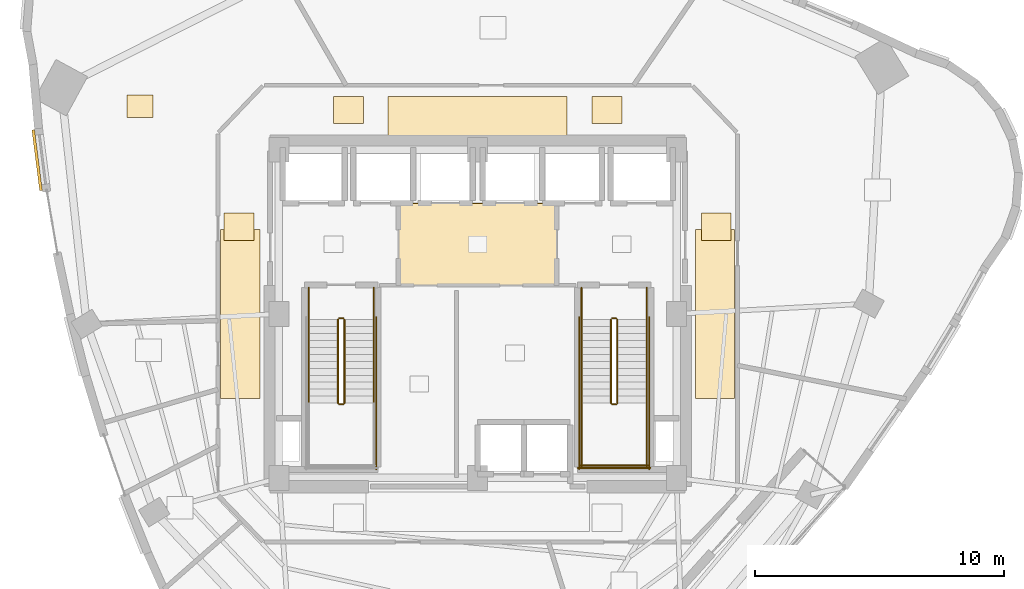
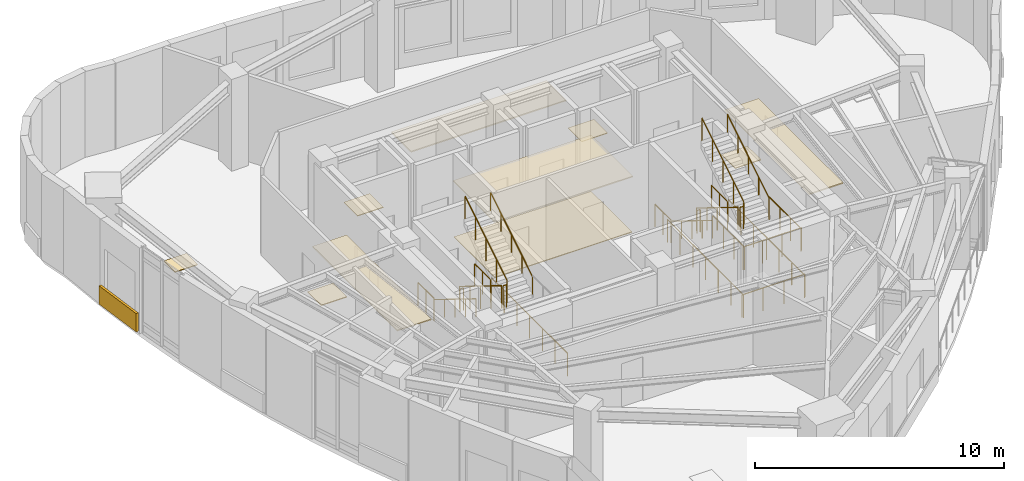
# One storey, part 17 of 18: 23 railings, 11 coverings.
"""IFC4 building model written with IfcOpenShell, lengths in metres."""

from ifc_helpers import new_model, si_unit, direction, frame, origin, origin_2d, place, context, subcontext, project, spatial, rectangle, circle, extrude, material, layer, layer_set, type_object, element, save


model = new_model("IFC4")

# Units and contexts
model_context = context("Model", 3, precision=1e-05, world=origin(), true_north=direction((0.0, 1.0)))
body_context = subcontext(model_context, "Body", "Model", "MODEL_VIEW")
ifc_project = project(units=[si_unit("LENGTHUNIT", "METRE"), si_unit("AREAUNIT", "SQUARE_METRE"), si_unit("VOLUMEUNIT", "CUBIC_METRE"), si_unit("PLANEANGLEUNIT", "RADIAN"), si_unit("MASSUNIT", "GRAM", prefix="KILO")], contexts=[model_context])

# Site, building, storey
site_placement = place(None, origin())
site = spatial("IfcSite", under=ifc_project, at=site_placement, CompositionType="ELEMENT")
building_placement = place(site_placement, origin())
building = spatial("IfcBuilding", under=site, at=building_placement, Name="Ndelora Gate Hotel", CompositionType="ELEMENT")
storey_placement = place(building_placement, frame((0.0, 0.0, 173.75)))
storey = spatial("IfcBuildingStorey", under=building, at=storey_placement, Name="L43", CompositionType="ELEMENT", Elevation=173.75)

# Coverings
ifc_material_1 = material(Name="Perforated Acoustic Gypsum Board", Category="gypsum")
ifc_layer_1 = layer(ifc_material_1, 0.054931640625)
ifc_layer_set_1 = layer_set([ifc_layer_1], Name="Perforated Acoustic Gypsum Board")
covering_type_1 = type_object("IfcCoveringType", Name="COV-CEIL-AC60", PredefinedType="CEILING", material=ifc_layer_set_1)
covering_1_placement = place(storey_placement, frame((0.0, 2.800048828125, 2.72265625), z_axis=(0.0, 0.0, 1.0), x_axis=(1.0, 0.0, 0.0)))
element("IfcCovering", 1, at=covering_1_placement, inside=storey, type_object=covering_type_1, Name="L43 Lift Lobby Acoustic Ceiling", PredefinedType="CEILING", context=body_context, shape_type="SweptSolid", body=[
    extrude(rectangle(XDim=6.39990234375, YDim=3.340087890625, at=origin_2d()), origin(), (0.0, 0.0, 1.0), 0.054931640625),
])
covering_2_placement = place(storey_placement, frame((0.0, 7.9599609375, 2.65234375), z_axis=(0.0, 0.0, 1.0), x_axis=(1.0, 0.0, 0.0)))
element("IfcCovering", 2, at=covering_2_placement, inside=storey, type_object=covering_type_1, Name="L43 Guest Corridor Acoustic Ceiling N", PredefinedType="CEILING", context=body_context, shape_type="SweptSolid", body=[
    extrude(rectangle(XDim=7.199951171875, YDim=1.580078125, at=origin_2d()), origin(), (0.0, 0.0, 1.0), 0.054931640625),
])
for number, where, z_axis, x_axis, name in (
    (3, (-9.550048828125, 0.0, 2.65234375), (0.0, 0.0, 1.0), (1.0, 0.0, 0.0), "L43 Guest Corridor Acoustic Ceiling W"),
    (4, (9.550048828125, 0.0, 2.65234375), (0.0, 0.0, 1.0), (1.0, 0.0, 0.0), "L43 Guest Corridor Acoustic Ceiling E"),
):
    element("IfcCovering", number, at=place(storey_placement, frame(where, z_axis=z_axis, x_axis=x_axis)), inside=storey, type_object=covering_type_1, Name=name, PredefinedType="CEILING", context=body_context, shape_type="SweptSolid", body=[
        extrude(rectangle(XDim=1.580078125, YDim=6.800048828125, at=origin_2d()), origin(), (0.0, 0.0, 1.0), 0.054931640625),
    ])
ifc_material_2 = material(Name="Terracotta Fired Clay Brick Slip Cladding", Category="masonry")
ifc_layer_2 = layer(ifc_material_2, 0.110107421875)
ifc_layer_set_2 = layer_set([ifc_layer_2], Name="Terracotta Fired Clay Brick Slip Cladding")
covering_type_2 = type_object("IfcCoveringType", Name="COV-CLAD-BRK", PredefinedType="CLADDING", material=ifc_layer_set_2)
covering_3_placement = place(storey_placement, frame((-17.725830078125, 6.185791015625, 0.10009765625), z_axis=(0.0, 0.0, 1.0), x_axis=(-0.127237724904, 0.991872250525, 0.0)))
element("IfcCovering", 5, at=covering_3_placement, inside=storey, type_object=covering_type_2, Name="L43 Rounded-Corner Brick Cladding Band 10", PredefinedType="CLADDING", context=body_context, shape_type="SweptSolid", body=[
    extrude(rectangle(XDim=2.4599609375, YDim=0.110107421875, at=origin_2d()), origin(), (0.0, 0.0, 1.0), 0.89990234375),
])
ifc_material_3 = material(Name="Engineered Highland Oak Parquet", Category="wood")
ifc_layer_3 = layer(ifc_material_3, 0.030029296875)
ifc_layer_set_3 = layer_set([ifc_layer_3], Name="Engineered Highland Oak Parquet")
covering_type_3 = type_object("IfcCoveringType", Name="COV-FLR-PARQ", PredefinedType="FLOORING", material=ifc_layer_set_3)
covering_4_placement = place(storey_placement, frame((-13.59326171875, 8.357421875, 0.0), z_axis=(0.0, 0.0, 1.0), x_axis=(1.0, 0.0, 0.0)))
element("IfcCovering", 6, at=covering_4_placement, inside=storey, type_object=covering_type_3, Name="L43 Highland Sculpture Salon Oak Parquet Flooring", PredefinedType="FLOORING", context=body_context, shape_type="SweptSolid", body=[
    extrude(rectangle(XDim=1.050048828125, YDim=0.89990234375, at=origin_2d()), origin(), (0.0, 0.0, 1.0), 0.030029296875),
])
ifc_material_4 = material(Name="Polished Highland Stone Terrazzo", Category="masonry")
ifc_layer_4 = layer(ifc_material_4, 0.034912109375)
ifc_layer_set_4 = layer_set([ifc_layer_4], Name="Polished Highland Stone Terrazzo")
covering_type_4 = type_object("IfcCoveringType", Name="COV-FLR-TERZ", PredefinedType="FLOORING", material=ifc_layer_set_4)
for number, where, z_axis, x_axis, name in (
    (7, (-5.199951171875, 8.199951171875, 0.0), (0.0, 0.0, 1.0), (1.0, 0.0, 0.0), "L43 Corridor Threshold Terrazzo Inlay NW"),
    (8, (5.199951171875, 8.199951171875, 0.0), (0.0, 0.0, 1.0), (1.0, 0.0, 0.0), "L43 Corridor Threshold Terrazzo Inlay NE"),
    (9, (-9.60009765625, 3.5, 0.0), (0.0, 0.0, 1.0), (1.0, 0.0, 0.0), "L43 Corridor Threshold Terrazzo Inlay W"),
    (10, (9.60009765625, 3.5, 0.0), (0.0, 0.0, 1.0), (1.0, 0.0, 0.0), "L43 Corridor Threshold Terrazzo Inlay E"),
):
    element("IfcCovering", number, at=place(storey_placement, frame(where, z_axis=z_axis, x_axis=x_axis)), inside=storey, type_object=covering_type_4, Name=name, PredefinedType="FLOORING", context=body_context, shape_type="SweptSolid", body=[
        extrude(rectangle(XDim=1.199951171875, YDim=1.10009765625, at=origin_2d()), origin(), (0.0, 0.0, 1.0), 0.034912109375),
    ])
covering_5_placement = place(storey_placement, frame((0.0, 2.800048828125, 0.0), z_axis=(0.0, 0.0, 1.0), x_axis=(1.0, 0.0, 0.0)))
element("IfcCovering", 11, at=covering_5_placement, inside=storey, type_object=covering_type_4, Name="L43 Terrazzo Concourse Flooring", PredefinedType="FLOORING", context=body_context, shape_type="SweptSolid", body=[
    extrude(rectangle(XDim=6.360107421875, YDim=3.280029296875, at=origin_2d()), origin(), (0.0, 0.0, 1.0), 0.034912109375),
])

# Railings
ifc_material_5 = material(Name="Painted Galvanized Steel Balustrade", Category="steel")
ifc_layer_5 = layer(ifc_material_5, 0.06005859375)
ifc_layer_set_5 = layer_set([ifc_layer_5], Name="Painted Galvanized Steel Balustrade")
railing_type_1 = type_object("IfcRailingType", Name="RL-STAIR-GD", PredefinedType="GUARDRAIL", material=ifc_layer_set_5)
railing_1_placement = place(storey_placement, frame((-5.6201171875, -0.22998046875, 0.173095703125)))
element("IfcRailing", 12, at=railing_1_placement, inside=storey, type_object=railing_type_1, Name="L43 ST4 stair guard 1", PredefinedType="GUARDRAIL", context=body_context, shape_type="SweptSolid", body=[
    extrude(circle(Radius=0.02392578125, at=origin_2d()), frame((0.0, 0.0, 1.10595703125), z_axis=(0.0, -0.850623216509, 0.525775754039), x_axis=(1.0, 0.0, 0.0)), (0.0, 0.0, 1.0), 3.9501953125),
    extrude(circle(Radius=0.02099609375, at=origin_2d()), origin(), (0.0, 0.0, 1.0), 1.081787109375),
    extrude(circle(Radius=0.02099609375, at=origin_2d()), frame((0.0, -0.840087890625, 0.519287109375)), (0.0, 0.0, 1.0), 1.081787109375),
    extrude(circle(Radius=0.02099609375, at=origin_2d()), frame((0.0, -1.68017578125, 1.03857421875)), (0.0, 0.0, 1.0), 1.081787109375),
    extrude(circle(Radius=0.02099609375, at=origin_2d()), frame((0.0, -2.52001953125, 1.5576171875)), (0.0, 0.0, 1.0), 1.081787109375),
    extrude(circle(Radius=0.02099609375, at=origin_2d()), frame((0.0, -3.360107421875, 2.076904296875)), (0.0, 0.0, 1.0), 1.081787109375),
])
railing_2_placement = place(storey_placement, frame((-5.570068359375, -3.639892578125, 2.25)))
element("IfcRailing", 13, at=railing_2_placement, inside=storey, type_object=railing_type_1, Name="L43 ST4 stair guard 2", PredefinedType="GUARDRAIL", context=body_context, shape_type="SweptSolid", body=[
    extrude(circle(Radius=0.02392578125, at=origin_2d()), frame((0.0, 0.0, 1.10595703125), z_axis=(1.0, 0.0, 0.0), x_axis=(0.0, 1.0, 0.0)), (0.0, 0.0, 1.0), 0.16015625),
    extrude(circle(Radius=0.02099609375, at=origin_2d()), origin(), (0.0, 0.0, 1.0), 1.081787109375),
    extrude(circle(Radius=0.02099609375, at=origin_2d()), frame((0.16015625, 0.0, 0.0)), (0.0, 0.0, 1.0), 1.081787109375),
])
railing_3_placement = place(storey_placement, frame((-5.360107421875, -3.590087890625, 2.423095703125)))
element("IfcRailing", 14, at=railing_3_placement, inside=storey, type_object=railing_type_1, Name="L43 ST4 stair guard 6", PredefinedType="GUARDRAIL", context=body_context, shape_type="SweptSolid", body=[
    extrude(circle(Radius=0.02392578125, at=origin_2d()), frame((0.0, 0.0, 1.10595703125), z_axis=(0.0, 0.850623216509, 0.525775754039), x_axis=(-1.0, 0.0, 0.0)), (0.0, 0.0, 1.0), 3.9501953125),
    extrude(circle(Radius=0.02099609375, at=origin_2d()), origin(), (0.0, 0.0, 1.0), 1.081787109375),
    extrude(circle(Radius=0.02099609375, at=origin_2d()), frame((0.0, 0.840087890625, 0.519287109375)), (0.0, 0.0, 1.0), 1.081787109375),
    extrude(circle(Radius=0.02099609375, at=origin_2d()), frame((0.0, 1.68017578125, 1.03857421875)), (0.0, 0.0, 1.0), 1.081787109375),
    extrude(circle(Radius=0.02099609375, at=origin_2d()), frame((0.0, 2.52001953125, 1.5576171875)), (0.0, 0.0, 1.0), 1.081787109375),
    extrude(circle(Radius=0.02099609375, at=origin_2d()), frame((0.0, 3.360107421875, 2.076904296875)), (0.0, 0.0, 1.0), 1.081787109375),
])
railing_4_placement = place(storey_placement, frame((-5.570068359375, -0.179931640625, 0.0)))
element("IfcRailing", 15, at=railing_4_placement, inside=storey, type_object=railing_type_1, Name="L43 ST4 stair guard 7", PredefinedType="GUARDRAIL", context=body_context, shape_type="SweptSolid", body=[
    extrude(circle(Radius=0.02392578125, at=origin_2d()), frame((0.0, 0.0, 1.10595703125), z_axis=(1.0, 0.0, 0.0), x_axis=(0.0, 1.0, 0.0)), (0.0, 0.0, 1.0), 0.16015625),
    extrude(circle(Radius=0.02099609375, at=origin_2d()), origin(), (0.0, 0.0, 1.0), 1.081787109375),
    extrude(circle(Radius=0.02099609375, at=origin_2d()), frame((0.16015625, 0.0, 0.0)), (0.0, 0.0, 1.0), 1.081787109375),
])
for number, where, name in (
    (16, (-6.800048828125, 1.050048828125, 0.0), "L43 ST4 stair guard 8"),
    (17, (-4.179931640625, 1.050048828125, 0.0), "L43 ST4 stair guard 9"),
):
    element("IfcRailing", number, at=place(storey_placement, frame(where)), inside=storey, type_object=railing_type_1, Name=name, PredefinedType="GUARDRAIL", context=body_context, shape_type="SweptSolid", body=[
        extrude(circle(Radius=0.02392578125, at=origin_2d()), frame((0.0, 0.0, 1.10595703125), z_axis=(0.0, -1.0, 0.0), x_axis=(1.0, 0.0, 0.0)), (0.0, 0.0, 1.0), 1.280029296875),
        extrude(circle(Radius=0.02099609375, at=origin_2d()), origin(), (0.0, 0.0, 1.0), 1.081787109375),
        extrude(circle(Radius=0.02099609375, at=origin_2d()), frame((0.0, -0.64013671875, 0.0)), (0.0, 0.0, 1.0), 1.081787109375),
        extrude(circle(Radius=0.02099609375, at=origin_2d()), frame((0.0, -1.280029296875, 0.0)), (0.0, 0.0, 1.0), 1.081787109375),
    ])
railing_5_placement = place(storey_placement, frame((-4.080078125, -0.1298828125, 0.0)))
element("IfcRailing", 18, at=railing_5_placement, inside=storey, type_object=railing_type_1, Name="L43 ST4 stair guard 11", PredefinedType="GUARDRAIL", context=body_context, shape_type="SweptSolid", body=[
    extrude(circle(Radius=0.02392578125, at=origin_2d()), frame((0.0, 0.0, 1.10595703125), z_axis=(0.0, -1.0, 0.0), x_axis=(1.0, 0.0, 0.0)), (0.0, 0.0, 1.0), 6.1201171875),
    extrude(circle(Radius=0.02099609375, at=origin_2d()), origin(), (0.0, 0.0, 1.0), 1.081787109375),
    extrude(circle(Radius=0.02099609375, at=origin_2d()), frame((0.0, -1.02001953125, 0.0)), (0.0, 0.0, 1.0), 1.081787109375),
    extrude(circle(Radius=0.02099609375, at=origin_2d()), frame((0.0, -2.0400390625, 0.0)), (0.0, 0.0, 1.0), 1.081787109375),
    extrude(circle(Radius=0.02099609375, at=origin_2d()), frame((0.0, -3.06005859375, 0.0)), (0.0, 0.0, 1.0), 1.081787109375),
    extrude(circle(Radius=0.02099609375, at=origin_2d()), frame((0.0, -4.080078125, 0.0)), (0.0, 0.0, 1.0), 1.081787109375),
    extrude(circle(Radius=0.02099609375, at=origin_2d()), frame((0.0, -5.10009765625, 0.0)), (0.0, 0.0, 1.0), 1.081787109375),
    extrude(circle(Radius=0.02099609375, at=origin_2d()), frame((0.0, -6.1201171875, 0.0)), (0.0, 0.0, 1.0), 1.081787109375),
])
railing_6_placement = place(storey_placement, frame((5.360107421875, -0.22998046875, 0.173095703125)))
element("IfcRailing", 19, at=railing_6_placement, inside=storey, type_object=railing_type_1, Name="L43 ST5 stair guard 1", PredefinedType="GUARDRAIL", context=body_context, shape_type="SweptSolid", body=[
    extrude(circle(Radius=0.02392578125, at=origin_2d()), frame((0.0, 0.0, 1.10595703125), z_axis=(0.0, -0.850623216509, 0.525775754039), x_axis=(1.0, 0.0, 0.0)), (0.0, 0.0, 1.0), 3.9501953125),
    extrude(circle(Radius=0.02099609375, at=origin_2d()), origin(), (0.0, 0.0, 1.0), 1.081787109375),
    extrude(circle(Radius=0.02099609375, at=origin_2d()), frame((0.0, -0.840087890625, 0.519287109375)), (0.0, 0.0, 1.0), 1.081787109375),
    extrude(circle(Radius=0.02099609375, at=origin_2d()), frame((0.0, -1.68017578125, 1.03857421875)), (0.0, 0.0, 1.0), 1.081787109375),
    extrude(circle(Radius=0.02099609375, at=origin_2d()), frame((0.0, -2.52001953125, 1.5576171875)), (0.0, 0.0, 1.0), 1.081787109375),
    extrude(circle(Radius=0.02099609375, at=origin_2d()), frame((0.0, -3.360107421875, 2.076904296875)), (0.0, 0.0, 1.0), 1.081787109375),
])
railing_7_placement = place(storey_placement, frame((5.409912109375, -3.639892578125, 2.25)))
element("IfcRailing", 20, at=railing_7_placement, inside=storey, type_object=railing_type_1, Name="L43 ST5 stair guard 2", PredefinedType="GUARDRAIL", context=body_context, shape_type="SweptSolid", body=[
    extrude(circle(Radius=0.02392578125, at=origin_2d()), frame((0.0, 0.0, 1.10595703125), z_axis=(1.0, 0.0, 0.0), x_axis=(0.0, 1.0, 0.0)), (0.0, 0.0, 1.0), 0.16015625),
    extrude(circle(Radius=0.02099609375, at=origin_2d()), origin(), (0.0, 0.0, 1.0), 1.081787109375),
    extrude(circle(Radius=0.02099609375, at=origin_2d()), frame((0.16015625, 0.0, 0.0)), (0.0, 0.0, 1.0), 1.081787109375),
])
for number, where, name in (
    (21, (4.179931640625, -3.590087890625, 2.25), "L43 ST5 stair guard 3"),
    (22, (6.800048828125, -3.590087890625, 2.25), "L43 ST5 stair guard 4"),
):
    element("IfcRailing", number, at=place(storey_placement, frame(where)), inside=storey, type_object=railing_type_1, Name=name, PredefinedType="GUARDRAIL", context=body_context, shape_type="SweptSolid", body=[
        extrude(circle(Radius=0.02392578125, at=origin_2d()), frame((0.0, 0.0, 1.10595703125), z_axis=(0.0, -1.0, 0.0), x_axis=(1.0, 0.0, 0.0)), (0.0, 0.0, 1.0), 2.559814453125),
        extrude(circle(Radius=0.02099609375, at=origin_2d()), origin(), (0.0, 0.0, 1.0), 1.081787109375),
        extrude(circle(Radius=0.02099609375, at=origin_2d()), frame((0.0, -0.853271484375, 0.0)), (0.0, 0.0, 1.0), 1.081787109375),
        extrude(circle(Radius=0.02099609375, at=origin_2d()), frame((0.0, -1.70654296875, 0.0)), (0.0, 0.0, 1.0), 1.081787109375),
        extrude(circle(Radius=0.02099609375, at=origin_2d()), frame((0.0, -2.559814453125, 0.0)), (0.0, 0.0, 1.0), 1.081787109375),
    ])
railing_8_placement = place(storey_placement, frame((4.1298828125, -6.10009765625, 2.25)))
element("IfcRailing", 23, at=railing_8_placement, inside=storey, type_object=railing_type_1, Name="L43 ST5 stair guard 5", PredefinedType="GUARDRAIL", context=body_context, shape_type="SweptSolid", body=[
    extrude(circle(Radius=0.02392578125, at=origin_2d()), frame((0.0, 0.0, 1.10595703125), z_axis=(1.0, 0.0, 0.0), x_axis=(0.0, 1.0, 0.0)), (0.0, 0.0, 1.0), 2.72021484375),
    extrude(circle(Radius=0.02099609375, at=origin_2d()), origin(), (0.0, 0.0, 1.0), 1.081787109375),
    extrude(circle(Radius=0.02099609375, at=origin_2d()), frame((0.90673828125, 0.0, 0.0)), (0.0, 0.0, 1.0), 1.081787109375),
    extrude(circle(Radius=0.02099609375, at=origin_2d()), frame((1.8134765625, 0.0, 0.0)), (0.0, 0.0, 1.0), 1.081787109375),
    extrude(circle(Radius=0.02099609375, at=origin_2d()), frame((2.72021484375, 0.0, 0.0)), (0.0, 0.0, 1.0), 1.081787109375),
])
railing_9_placement = place(storey_placement, frame((5.6201171875, -3.590087890625, 2.423095703125)))
element("IfcRailing", 24, at=railing_9_placement, inside=storey, type_object=railing_type_1, Name="L43 ST5 stair guard 6", PredefinedType="GUARDRAIL", context=body_context, shape_type="SweptSolid", body=[
    extrude(circle(Radius=0.02392578125, at=origin_2d()), frame((0.0, 0.0, 1.10595703125), z_axis=(0.0, 0.850623216509, 0.525775754039), x_axis=(-1.0, 0.0, 0.0)), (0.0, 0.0, 1.0), 3.9501953125),
    extrude(circle(Radius=0.02099609375, at=origin_2d()), origin(), (0.0, 0.0, 1.0), 1.081787109375),
    extrude(circle(Radius=0.02099609375, at=origin_2d()), frame((0.0, 0.840087890625, 0.519287109375)), (0.0, 0.0, 1.0), 1.081787109375),
    extrude(circle(Radius=0.02099609375, at=origin_2d()), frame((0.0, 1.68017578125, 1.03857421875)), (0.0, 0.0, 1.0), 1.081787109375),
    extrude(circle(Radius=0.02099609375, at=origin_2d()), frame((0.0, 2.52001953125, 1.5576171875)), (0.0, 0.0, 1.0), 1.081787109375),
    extrude(circle(Radius=0.02099609375, at=origin_2d()), frame((0.0, 3.360107421875, 2.076904296875)), (0.0, 0.0, 1.0), 1.081787109375),
])
railing_10_placement = place(storey_placement, frame((5.409912109375, -0.179931640625, 0.0)))
element("IfcRailing", 25, at=railing_10_placement, inside=storey, type_object=railing_type_1, Name="L43 ST5 stair guard 7", PredefinedType="GUARDRAIL", context=body_context, shape_type="SweptSolid", body=[
    extrude(circle(Radius=0.02392578125, at=origin_2d()), frame((0.0, 0.0, 1.10595703125), z_axis=(1.0, 0.0, 0.0), x_axis=(0.0, 1.0, 0.0)), (0.0, 0.0, 1.0), 0.16015625),
    extrude(circle(Radius=0.02099609375, at=origin_2d()), origin(), (0.0, 0.0, 1.0), 1.081787109375),
    extrude(circle(Radius=0.02099609375, at=origin_2d()), frame((0.16015625, 0.0, 0.0)), (0.0, 0.0, 1.0), 1.081787109375),
])
for number, where, name in (
    (26, (4.179931640625, 1.050048828125, 0.0), "L43 ST5 stair guard 8"),
    (27, (6.800048828125, 1.050048828125, 0.0), "L43 ST5 stair guard 9"),
):
    element("IfcRailing", number, at=place(storey_placement, frame(where)), inside=storey, type_object=railing_type_1, Name=name, PredefinedType="GUARDRAIL", context=body_context, shape_type="SweptSolid", body=[
        extrude(circle(Radius=0.02392578125, at=origin_2d()), frame((0.0, 0.0, 1.10595703125), z_axis=(0.0, -1.0, 0.0), x_axis=(1.0, 0.0, 0.0)), (0.0, 0.0, 1.0), 1.280029296875),
        extrude(circle(Radius=0.02099609375, at=origin_2d()), origin(), (0.0, 0.0, 1.0), 1.081787109375),
        extrude(circle(Radius=0.02099609375, at=origin_2d()), frame((0.0, -0.64013671875, 0.0)), (0.0, 0.0, 1.0), 1.081787109375),
        extrude(circle(Radius=0.02099609375, at=origin_2d()), frame((0.0, -1.280029296875, 0.0)), (0.0, 0.0, 1.0), 1.081787109375),
    ])
for number, where, name in (
    (28, (4.080078125, -0.1298828125, 0.0), "L43 ST5 stair guard 10"),
    (29, (6.89990234375, -0.1298828125, 0.0), "L43 ST5 stair guard 11"),
):
    element("IfcRailing", number, at=place(storey_placement, frame(where)), inside=storey, type_object=railing_type_1, Name=name, PredefinedType="GUARDRAIL", context=body_context, shape_type="SweptSolid", body=[
        extrude(circle(Radius=0.02392578125, at=origin_2d()), frame((0.0, 0.0, 1.10595703125), z_axis=(0.0, -1.0, 0.0), x_axis=(1.0, 0.0, 0.0)), (0.0, 0.0, 1.0), 6.1201171875),
        extrude(circle(Radius=0.02099609375, at=origin_2d()), origin(), (0.0, 0.0, 1.0), 1.081787109375),
        extrude(circle(Radius=0.02099609375, at=origin_2d()), frame((0.0, -1.02001953125, 0.0)), (0.0, 0.0, 1.0), 1.081787109375),
        extrude(circle(Radius=0.02099609375, at=origin_2d()), frame((0.0, -2.0400390625, 0.0)), (0.0, 0.0, 1.0), 1.081787109375),
        extrude(circle(Radius=0.02099609375, at=origin_2d()), frame((0.0, -3.06005859375, 0.0)), (0.0, 0.0, 1.0), 1.081787109375),
        extrude(circle(Radius=0.02099609375, at=origin_2d()), frame((0.0, -4.080078125, 0.0)), (0.0, 0.0, 1.0), 1.081787109375),
        extrude(circle(Radius=0.02099609375, at=origin_2d()), frame((0.0, -5.10009765625, 0.0)), (0.0, 0.0, 1.0), 1.081787109375),
        extrude(circle(Radius=0.02099609375, at=origin_2d()), frame((0.0, -6.1201171875, 0.0)), (0.0, 0.0, 1.0), 1.081787109375),
    ])
railing_11_placement = place(storey_placement, frame((4.030029296875, -6.199951171875, 0.0)))
element("IfcRailing", 30, at=railing_11_placement, inside=storey, type_object=railing_type_1, Name="L43 ST5 stair guard 12", PredefinedType="GUARDRAIL", context=body_context, shape_type="SweptSolid", body=[
    extrude(circle(Radius=0.02392578125, at=origin_2d()), frame((0.0, 0.0, 1.10595703125), z_axis=(1.0, 0.0, 0.0), x_axis=(0.0, 1.0, 0.0)), (0.0, 0.0, 1.0), 2.919921875),
    extrude(circle(Radius=0.02099609375, at=origin_2d()), origin(), (0.0, 0.0, 1.0), 1.081787109375),
    extrude(circle(Radius=0.02099609375, at=origin_2d()), frame((0.973388671875, 0.0, 0.0)), (0.0, 0.0, 1.0), 1.081787109375),
    extrude(circle(Radius=0.02099609375, at=origin_2d()), frame((1.946533203125, 0.0, 0.0)), (0.0, 0.0, 1.0), 1.081787109375),
    extrude(circle(Radius=0.02099609375, at=origin_2d()), frame((2.919921875, 0.0, 0.0)), (0.0, 0.0, 1.0), 1.081787109375),
])
ifc_material_6 = material(Name="Brushed Stainless Steel 316", Category="steel")
ifc_layer_6 = layer(ifc_material_6, 0.050048828125)
ifc_layer_set_6 = layer_set([ifc_layer_6], Name="Brushed Stainless Steel 316")
railing_type_2 = type_object("IfcRailingType", Name="RL-STAIR-HR", PredefinedType="HANDRAIL", material=ifc_layer_set_6)
railing_12_placement = place(storey_placement, frame((-6.800048828125, -0.22998046875, 0.173095703125)))
element("IfcRailing", 31, at=railing_12_placement, inside=storey, type_object=railing_type_2, Name="L43 ST4 stair handrail 1", PredefinedType="HANDRAIL", context=body_context, shape_type="SweptSolid", body=[
    extrude(circle(Radius=0.02392578125, at=origin_2d()), frame((0.0, 0.0, 0.8759765625), z_axis=(0.0, -0.850623216509, 0.525775754039), x_axis=(1.0, 0.0, 0.0)), (0.0, 0.0, 1.0), 3.9501953125),
    extrude(circle(Radius=0.02099609375, at=origin_2d()), origin(), (0.0, 0.0, 1.0), 0.851806640625),
    extrude(circle(Radius=0.02099609375, at=origin_2d()), frame((0.0, -0.840087890625, 0.519287109375)), (0.0, 0.0, 1.0), 0.851806640625),
    extrude(circle(Radius=0.02099609375, at=origin_2d()), frame((0.0, -1.68017578125, 1.03857421875)), (0.0, 0.0, 1.0), 0.851806640625),
    extrude(circle(Radius=0.02099609375, at=origin_2d()), frame((0.0, -2.52001953125, 1.5576171875)), (0.0, 0.0, 1.0), 0.851806640625),
    extrude(circle(Radius=0.02099609375, at=origin_2d()), frame((0.0, -3.360107421875, 2.076904296875)), (0.0, 0.0, 1.0), 0.851806640625),
])
railing_13_placement = place(storey_placement, frame((-4.179931640625, -3.590087890625, 2.423095703125)))
element("IfcRailing", 32, at=railing_13_placement, inside=storey, type_object=railing_type_2, Name="L43 ST4 stair handrail 2", PredefinedType="HANDRAIL", context=body_context, shape_type="SweptSolid", body=[
    extrude(circle(Radius=0.02392578125, at=origin_2d()), frame((0.0, 0.0, 0.8759765625), z_axis=(0.0, 0.850623216509, 0.525775754039), x_axis=(-1.0, 0.0, 0.0)), (0.0, 0.0, 1.0), 3.9501953125),
    extrude(circle(Radius=0.02099609375, at=origin_2d()), origin(), (0.0, 0.0, 1.0), 0.851806640625),
    extrude(circle(Radius=0.02099609375, at=origin_2d()), frame((0.0, 0.840087890625, 0.519287109375)), (0.0, 0.0, 1.0), 0.851806640625),
    extrude(circle(Radius=0.02099609375, at=origin_2d()), frame((0.0, 1.68017578125, 1.03857421875)), (0.0, 0.0, 1.0), 0.851806640625),
    extrude(circle(Radius=0.02099609375, at=origin_2d()), frame((0.0, 2.52001953125, 1.5576171875)), (0.0, 0.0, 1.0), 0.851806640625),
    extrude(circle(Radius=0.02099609375, at=origin_2d()), frame((0.0, 3.360107421875, 2.076904296875)), (0.0, 0.0, 1.0), 0.851806640625),
])
railing_14_placement = place(storey_placement, frame((4.179931640625, -0.22998046875, 0.173095703125)))
element("IfcRailing", 33, at=railing_14_placement, inside=storey, type_object=railing_type_2, Name="L43 ST5 stair handrail 1", PredefinedType="HANDRAIL", context=body_context, shape_type="SweptSolid", body=[
    extrude(circle(Radius=0.02392578125, at=origin_2d()), frame((0.0, 0.0, 0.8759765625), z_axis=(0.0, -0.850623216509, 0.525775754039), x_axis=(1.0, 0.0, 0.0)), (0.0, 0.0, 1.0), 3.9501953125),
    extrude(circle(Radius=0.02099609375, at=origin_2d()), origin(), (0.0, 0.0, 1.0), 0.851806640625),
    extrude(circle(Radius=0.02099609375, at=origin_2d()), frame((0.0, -0.840087890625, 0.519287109375)), (0.0, 0.0, 1.0), 0.851806640625),
    extrude(circle(Radius=0.02099609375, at=origin_2d()), frame((0.0, -1.68017578125, 1.03857421875)), (0.0, 0.0, 1.0), 0.851806640625),
    extrude(circle(Radius=0.02099609375, at=origin_2d()), frame((0.0, -2.52001953125, 1.5576171875)), (0.0, 0.0, 1.0), 0.851806640625),
    extrude(circle(Radius=0.02099609375, at=origin_2d()), frame((0.0, -3.360107421875, 2.076904296875)), (0.0, 0.0, 1.0), 0.851806640625),
])
railing_15_placement = place(storey_placement, frame((6.800048828125, -3.590087890625, 2.423095703125)))
element("IfcRailing", 34, at=railing_15_placement, inside=storey, type_object=railing_type_2, Name="L43 ST5 stair handrail 2", PredefinedType="HANDRAIL", context=body_context, shape_type="SweptSolid", body=[
    extrude(circle(Radius=0.02392578125, at=origin_2d()), frame((0.0, 0.0, 0.8759765625), z_axis=(0.0, 0.850623216509, 0.525775754039), x_axis=(-1.0, 0.0, 0.0)), (0.0, 0.0, 1.0), 3.9501953125),
    extrude(circle(Radius=0.02099609375, at=origin_2d()), origin(), (0.0, 0.0, 1.0), 0.851806640625),
    extrude(circle(Radius=0.02099609375, at=origin_2d()), frame((0.0, 0.840087890625, 0.519287109375)), (0.0, 0.0, 1.0), 0.851806640625),
    extrude(circle(Radius=0.02099609375, at=origin_2d()), frame((0.0, 1.68017578125, 1.03857421875)), (0.0, 0.0, 1.0), 0.851806640625),
    extrude(circle(Radius=0.02099609375, at=origin_2d()), frame((0.0, 2.52001953125, 1.5576171875)), (0.0, 0.0, 1.0), 0.851806640625),
    extrude(circle(Radius=0.02099609375, at=origin_2d()), frame((0.0, 3.360107421875, 2.076904296875)), (0.0, 0.0, 1.0), 0.851806640625),
])

save(model, "model.ifc")
